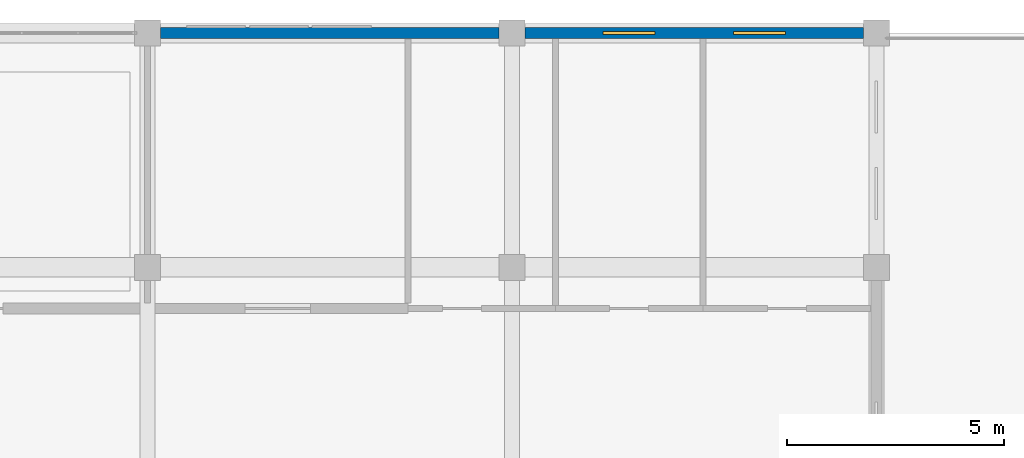
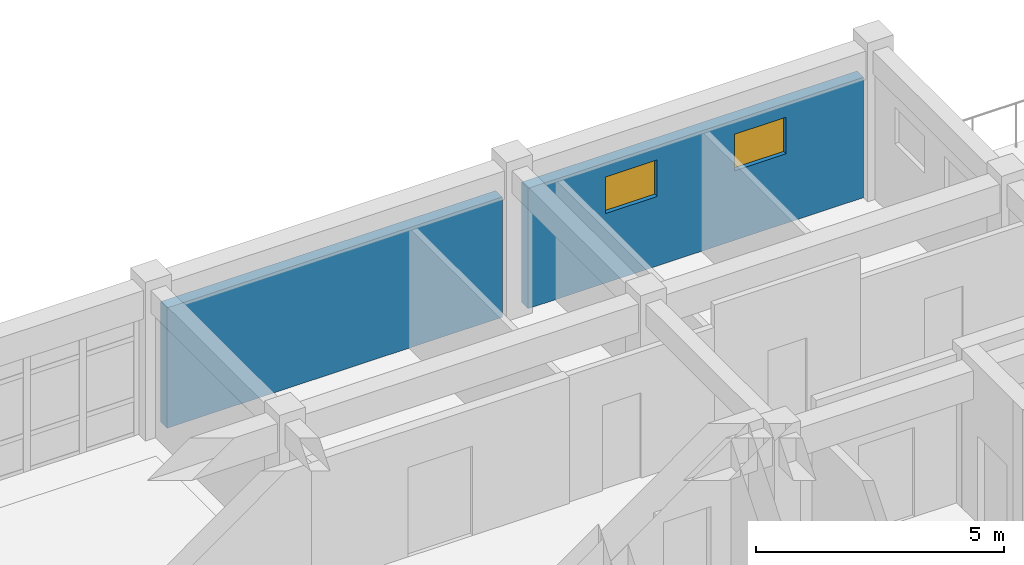
# One storey, part 16 of 17: 2 walls, 2 windows, 2 openings.
"""IFC4 building model written with IfcOpenShell, lengths in metres."""

from ifc_helpers import new_model, si_unit, direction, frame, frame_2d, origin, place, context, subcontext, project, spatial, rectangle, extrude, material, layer, layer_set, type_object, element, fill, save


model = new_model("IFC4")

# Units and contexts
model_context = context("Model", 3, precision=1e-05, world=origin(), true_north=direction((0.0, 1.0)))
body_context = subcontext(model_context, "Body", "Model", "MODEL_VIEW")
ifc_project = project(units=[si_unit("LENGTHUNIT", "METRE"), si_unit("AREAUNIT", "SQUARE_METRE"), si_unit("VOLUMEUNIT", "CUBIC_METRE"), si_unit("PLANEANGLEUNIT", "RADIAN"), si_unit("MASSUNIT", "GRAM", prefix="KILO")], contexts=[model_context])

# Site, building, storey
site_placement = place(None, origin())
site = spatial("IfcSite", under=ifc_project, at=site_placement, CompositionType="ELEMENT")
building_placement = place(site_placement, origin())
building = spatial("IfcBuilding", under=site, at=building_placement, Name="Krzemoval Escarpment Law Courts", CompositionType="ELEMENT")
storey_placement = place(building_placement, frame((0.0, 0.0, 42.0)))
storey = spatial("IfcBuildingStorey", under=building, at=storey_placement, Name="L09", CompositionType="ELEMENT", Elevation=42.0)

# Wall
ifc_material_1 = material(Name="Precast concrete C40/50", Category="concrete")
ifc_layer = layer(ifc_material_1, 0.260009765625)
ifc_layer_set = layer_set([ifc_layer], Name="Precast concrete C40/50")
wall_type = type_object("IfcWallType", Name="WL-EXT-260", PredefinedType="SOLIDWALL", material=ifc_layer_set)
wall_1_placement = place(storey_placement, frame((134.699951171875, 118.800048828125, 0.0), z_axis=(0.0, 0.0, 1.0), x_axis=(1.0, 0.0, 0.0)))
element("IfcWall", 1, at=wall_1_placement, inside=storey, type_object=wall_type, Name="Exterior Wall EW-L09-0482", PredefinedType="SOLIDWALL", context=body_context, shape_type="SweptSolid", body=[
    extrude(rectangle(XDim=7.800048828125, YDim=0.260009765625, at=frame_2d((3.89990234375, 0.0))), origin(), (0.0, 0.0, 1.0), 2.9599609375),
])

# Wall, openings, windows
wall_2_placement = place(storey_placement, frame((143.10009765625, 118.800048828125, 0.0), z_axis=(0.0, 0.0, 1.0), x_axis=(1.0, 0.0, 0.0)))
wall_2 = element("IfcWall", 2, at=wall_2_placement, inside=storey, type_object=wall_type, Name="Exterior Wall EW-L09-0483", PredefinedType="SOLIDWALL", context=body_context, shape_type="SweptSolid", body=[
    extrude(rectangle(XDim=7.7998046875, YDim=0.260009765625, at=frame_2d((3.89990234375, 0.0))), origin(), (0.0, 0.0, 1.0), 2.9599609375),
])
opening_1_placement = place(wall_2_placement, frame((1.800048828125, 0.0, 1.7099609375)))
opening_1 = element("IfcOpeningElement", 3, at=opening_1_placement, cuts=wall_2, Name="Opening WN-L09-0567", PredefinedType="OPENING", context=body_context, shape_type="SweptSolid", body=[
    extrude(rectangle(XDim=1.199951171875, YDim=0.89990234375, at=frame_2d((0.60009765625, 0.449951171875))), frame((0.0, 0.145, 0.0), z_axis=(0.0, -1.0, 0.0), x_axis=(1.0, 0.0, 0.0)), (0.0, 0.0, 1.0), 0.29001),
])
opening_2_placement = place(wall_2_placement, frame((4.800048828125, 0.0, 1.7099609375)))
opening_2 = element("IfcOpeningElement", 4, at=opening_2_placement, cuts=wall_2, Name="Opening WN-L09-0568", PredefinedType="OPENING", context=body_context, shape_type="SweptSolid", body=[
    extrude(rectangle(XDim=1.199951171875, YDim=0.89990234375, at=frame_2d((0.60009765625, 0.449951171875))), frame((0.0, 0.145, 0.0), z_axis=(0.0, -1.0, 0.0), x_axis=(1.0, 0.0, 0.0)), (0.0, 0.0, 1.0), 0.29001),
])
ifc_material_2 = material(Name="Thermally Broken Aluminium Frame with Triple Low-E Acoustic Glass", Category="aluminium")
window_type = type_object("IfcWindowType", Name="WN-1200x900", PartitioningType="SINGLE_PANEL", PredefinedType="WINDOW", material=ifc_material_2)
window_1_placement = place(opening_1_placement, origin())
window_1 = element("IfcWindow", 5, at=window_1_placement, inside=storey, type_object=window_type, Name="Facade Window WN-L09-0567", OverallHeight=0.89990234375, OverallWidth=1.199951171875, PartitioningType="SINGLE_PANEL", PredefinedType="WINDOW", context=body_context, shape_type="SweptSolid", body=[
    extrude(rectangle(XDim=1.199951171875, YDim=0.89990234375, at=frame_2d((0.60009765625, 0.449951171875))), frame((0.0, 0.030029296875, 0.0), z_axis=(0.0, -1.0, 0.0), x_axis=(1.0, 0.0, 0.0)), (0.0, 0.0, 1.0), 0.06005859375),
])
fill(opening_1, window_1)
window_2_placement = place(opening_2_placement, origin())
window_2 = element("IfcWindow", 6, at=window_2_placement, inside=storey, type_object=window_type, Name="Facade Window WN-L09-0568", OverallHeight=0.89990234375, OverallWidth=1.199951171875, PartitioningType="SINGLE_PANEL", PredefinedType="WINDOW", context=body_context, shape_type="SweptSolid", body=[
    extrude(rectangle(XDim=1.199951171875, YDim=0.89990234375, at=frame_2d((0.60009765625, 0.449951171875))), frame((0.0, 0.030029296875, 0.0), z_axis=(0.0, -1.0, 0.0), x_axis=(1.0, 0.0, 0.0)), (0.0, 0.0, 1.0), 0.06005859375),
])
fill(opening_2, window_2)

save(model, "model.ifc")
